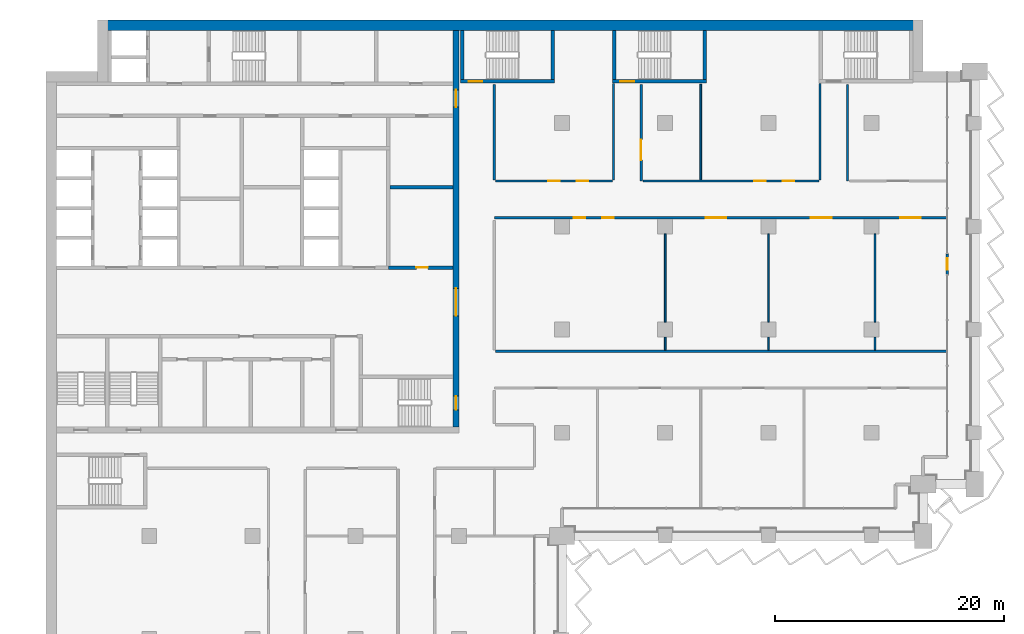
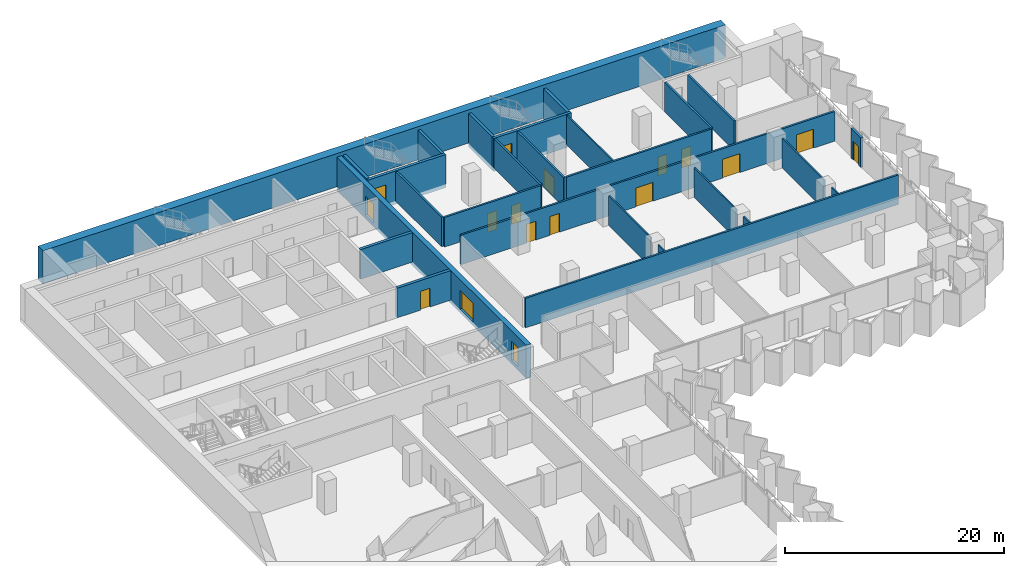
# One storey, part 14 of 22: 27 walls, 17 doors, 17 openings.
"""IFC4 building model written with IfcOpenShell, lengths in metres."""

from ifc_helpers import new_model, si_unit, direction, frame, frame_2d, origin, place, context, subcontext, project, spatial, rectangle, extrude, material, layer, layer_set, type_object, element, fill, save


model = new_model("IFC4")

# Units and contexts
model_context = context("Model", 3, precision=1e-05, world=origin(), true_north=direction((0.0, 1.0)))
body_context = subcontext(model_context, "Body", "Model", "MODEL_VIEW")
ifc_project = project(units=[si_unit("LENGTHUNIT", "METRE"), si_unit("AREAUNIT", "SQUARE_METRE"), si_unit("VOLUMEUNIT", "CUBIC_METRE"), si_unit("PLANEANGLEUNIT", "RADIAN"), si_unit("MASSUNIT", "GRAM", prefix="KILO")], contexts=[model_context])

# Site, building, storey
site_placement = place(None, origin())
site = spatial("IfcSite", under=ifc_project, at=site_placement, CompositionType="ELEMENT")
building_placement = place(site_placement, origin())
building = spatial("IfcBuilding", under=site, at=building_placement, Name="Hunhe Ridgeline Campus", CompositionType="ELEMENT")
storey_placement = place(building_placement, frame((0.0, 0.0, 88.5)))
storey = spatial("IfcBuildingStorey", under=building, at=storey_placement, Name="L21", CompositionType="ELEMENT", Elevation=88.5)

# Wall, opening, door
ifc_material_1 = material(Name="Masonry concrete blockwork", Category="masonry")
ifc_layer_1 = layer(ifc_material_1, 0.300048828125)
ifc_layer_set_1 = layer_set([ifc_layer_1], Name="Core room partition 300 concrete block")
wall_type_1 = type_object("IfcWallType", Name="Core room partition 300 concrete block", PredefinedType="PARTITIONING", material=ifc_layer_set_1)
wall_1_placement = place(storey_placement, frame((29.85009765625, 77.39990234375, 0.0), z_axis=(0.0, 0.0, 1.0), x_axis=(1.0, 0.0, 0.0)))
wall_1 = element("IfcWall", 1, at=wall_1_placement, inside=storey, type_object=wall_type_1, Name="L21 core partition 13", PredefinedType="PARTITIONING", context=body_context, shape_type="SweptSolid", body=[
    extrude(rectangle(XDim=5.64990234375, YDim=0.300048828125, at=frame_2d((2.824951171875, 0.0))), origin(), (0.0, 0.0, 1.0), 3.300048828125),
])
opening_1_placement = place(wall_1_placement, frame((2.449951171875, 0.0, 0.0)))
opening_1 = element("IfcOpeningElement", 2, at=opening_1_placement, cuts=wall_1, Name="Opening CD32", PredefinedType="OPENING", context=body_context, shape_type="SweptSolid", body=[
    extrude(rectangle(XDim=1.0, YDim=2.10009765625, at=frame_2d((0.5, 1.050048828125))), frame((0.0, 0.14990234375, 0.0), z_axis=(0.0, -1.0, 0.0), x_axis=(1.0, 0.0, 0.0)), (0.0, 0.0, 1.0), 0.300048828125),
])
ifc_material_2 = material(Name="Solid core timber door leaf", Category="wood")
door_type_1 = type_object("IfcDoorType", Name="Timber door 1000x2100", OperationType="SINGLE_SWING_LEFT", PredefinedType="DOOR", material=ifc_material_2)
door_1_placement = place(opening_1_placement, origin())
door_1 = element("IfcDoor", 3, at=door_1_placement, inside=storey, type_object=door_type_1, Name="L21 door ES0", OperationType="SINGLE_SWING_RIGHT", OverallHeight=2.10009765625, OverallWidth=1.0, PredefinedType="DOOR", context=body_context, shape_type="SweptSolid", body=[
    extrude(rectangle(XDim=1.0, YDim=2.10009765625, at=frame_2d((0.5, 1.050048828125))), frame((0.0, 0.02490234375, 0.0), z_axis=(0.0, -1.0, 0.0), x_axis=(1.0, 0.0, 0.0)), (0.0, 0.0, 1.0), 0.050048828125),
])
fill(opening_1, door_1)

# Wall
wall_2_placement = place(storey_placement, frame((30.0, 84.39990234375, 0.0), z_axis=(0.0, 0.0, 1.0), x_axis=(1.0, 0.0, 0.0)))
element("IfcWall", 4, at=wall_2_placement, inside=storey, type_object=wall_type_1, Name="L21 core partition 22", PredefinedType="PARTITIONING", context=body_context, shape_type="SweptSolid", body=[
    extrude(rectangle(XDim=5.5, YDim=0.300048828125, at=frame_2d((2.75, 0.0))), origin(), (0.0, 0.0, 1.0), 3.300048828125),
])

# Wall, openings, doors
ifc_material_3 = material(Name="Concrete C80", Category="concrete")
ifc_layer_2 = layer(ifc_material_3, 0.5)
ifc_layer_set_2 = layer_set([ifc_layer_2], Name="Core wall 500 reinforced concrete C80")
wall_type_2 = type_object("IfcWallType", Name="Core wall 500 reinforced concrete C80", PredefinedType="SOLIDWALL", material=ifc_layer_set_2)
wall_3_placement = place(storey_placement, frame((35.75, 63.5, -0.39990234375), z_axis=(0.0, 0.0, 1.0), x_axis=(0.0, 1.0, 0.0)))
wall_3 = element("IfcWall", 5, at=wall_3_placement, inside=storey, type_object=wall_type_2, Name="L21 core wall 61", PredefinedType="SOLIDWALL", context=body_context, shape_type="SweptSolid", body=[
    extrude(rectangle(XDim=34.60009765625, YDim=0.5, at=frame_2d((17.300048828125, 0.0))), origin(), (0.0, 0.0, 1.0), 3.699951171875),
])
opening_2_placement = place(wall_3_placement, frame((9.699951171875, 0.0, 0.39990234375)))
opening_2 = element("IfcOpeningElement", 6, at=opening_2_placement, cuts=wall_3, Name="Opening CD4", PredefinedType="OPENING", context=body_context, shape_type="SweptSolid", body=[
    extrude(rectangle(XDim=2.39990234375, YDim=2.10009765625, at=frame_2d((1.199951171875, 1.050048828125))), frame((0.0, 0.25, 0.0), z_axis=(0.0, -1.0, 0.0), x_axis=(1.0, 0.0, 0.0)), (0.0, 0.0, 1.0), 0.5),
])
opening_3_placement = place(wall_3_placement, frame((27.89990234375, 0.0, 0.39990234375)))
opening_3 = element("IfcOpeningElement", 7, at=opening_3_placement, cuts=wall_3, Name="Opening CD5", PredefinedType="OPENING", context=body_context, shape_type="SweptSolid", body=[
    extrude(rectangle(XDim=1.5, YDim=2.10009765625, at=frame_2d((0.75, 1.050048828125))), frame((0.0, 0.25, 0.0), z_axis=(0.0, -1.0, 0.0), x_axis=(1.0, 0.0, 0.0)), (0.0, 0.0, 1.0), 0.5),
])
opening_4_placement = place(wall_3_placement, frame((1.5, 0.0, 0.39990234375)))
opening_4 = element("IfcOpeningElement", 8, at=opening_4_placement, cuts=wall_3, Name="Opening CD15", PredefinedType="OPENING", context=body_context, shape_type="SweptSolid", body=[
    extrude(rectangle(XDim=1.199951171875, YDim=2.10009765625, at=frame_2d((0.60009765625, 1.050048828125))), frame((0.0, 0.25, 0.0), z_axis=(0.0, -1.0, 0.0), x_axis=(1.0, 0.0, 0.0)), (0.0, 0.0, 1.0), 0.5),
])
ifc_material_4 = material(Name="Anodised aluminium and glass", Category="aluminium")
door_type_2 = type_object("IfcDoorType", Name="Glazed double door 2400x2100", OperationType="DOUBLE_DOOR_SINGLE_SWING", PredefinedType="DOOR", material=ifc_material_4)
door_2_placement = place(opening_2_placement, frame((2.39990234375, 0.0, 0.0), z_axis=(0.0, 0.0, 1.0), x_axis=(-1.0, 0.0, 0.0)))
door_2 = element("IfcDoor", 9, at=door_2_placement, inside=storey, type_object=door_type_2, Name="L21 door HALL-FLOOR", OperationType="DOUBLE_DOOR_SINGLE_SWING", OverallHeight=2.10009765625, OverallWidth=2.39990234375, PredefinedType="DOOR", context=body_context, shape_type="SweptSolid", body=[
    extrude(rectangle(XDim=2.39990234375, YDim=2.10009765625, at=frame_2d((1.199951171875, 1.050048828125))), frame((0.0, 0.02490234375, 0.0), z_axis=(0.0, -1.0, 0.0), x_axis=(1.0, 0.0, 0.0)), (0.0, 0.0, 1.0), 0.050048828125),
])
fill(opening_2, door_2)
ifc_material_5 = material(Name="Hollow metal fire door leaf")
door_type_3 = type_object("IfcDoorType", Name="Stair door 1200x2100 FD60", OperationType="SINGLE_SWING_LEFT", PredefinedType="DOOR", material=ifc_material_5)
door_3_placement = place(opening_4_placement, frame((1.199951171875, 0.0, 0.0), z_axis=(0.0, 0.0, 1.0), x_axis=(-1.0, 0.0, 0.0)))
door_3 = element("IfcDoor", 10, at=door_3_placement, inside=storey, type_object=door_type_3, Name="L21 door S2-FLOOR", OperationType="SINGLE_SWING_RIGHT", OverallHeight=2.10009765625, OverallWidth=1.199951171875, PredefinedType="DOOR", context=body_context, shape_type="SweptSolid", body=[
    extrude(rectangle(XDim=1.199951171875, YDim=2.10009765625, at=frame_2d((0.60009765625, 1.050048828125))), frame((0.0, 0.02490234375, 0.0), z_axis=(0.0, -1.0, 0.0), x_axis=(1.0, 0.0, 0.0)), (0.0, 0.0, 1.0), 0.050048828125),
])
fill(opening_4, door_3)
door_type_4 = type_object("IfcDoorType", Name="Timber door 1500x2100", OperationType="SINGLE_SWING_LEFT", PredefinedType="DOOR", material=ifc_material_2)
door_4_placement = place(opening_3_placement, frame((1.5, 0.0, 0.0), z_axis=(0.0, 0.0, 1.0), x_axis=(-1.0, 0.0, 0.0)))
door_4 = element("IfcDoor", 11, at=door_4_placement, inside=storey, type_object=door_type_4, Name="L21 door C1-FLOOR", OperationType="SINGLE_SWING_RIGHT", OverallHeight=2.10009765625, OverallWidth=1.5, PredefinedType="DOOR", context=body_context, shape_type="SweptSolid", body=[
    extrude(rectangle(XDim=1.5, YDim=2.10009765625, at=frame_2d((0.75, 1.050048828125))), frame((0.0, 0.02490234375, 0.0), z_axis=(0.0, -1.0, 0.0), x_axis=(1.0, 0.0, 0.0)), (0.0, 0.0, 1.0), 0.050048828125),
])
fill(opening_3, door_4)

# Wall
ifc_material_6 = material(Name="Gypsum board partition")
ifc_layer_3 = layer(ifc_material_6, 0.199951171875)
ifc_layer_set_3 = layer_set([ifc_layer_3], Name="Corridor partition 200 gypsum board on steel studs")
wall_type_3 = type_object("IfcWallType", Name="Corridor partition 200 gypsum board on steel studs", PredefinedType="PARTITIONING", material=ifc_layer_set_3)
wall_4_placement = place(storey_placement, frame((39.199951171875, 70.10009765625, 0.0), z_axis=(0.0, 0.0, 1.0), x_axis=(1.0, 0.0, 0.0)))
element("IfcWall", 12, at=wall_4_placement, inside=storey, type_object=wall_type_3, Name="F-L21-wall-039", PredefinedType="PARTITIONING", context=body_context, shape_type="SweptSolid", body=[
    extrude(rectangle(XDim=39.344970703125, YDim=0.199951171875, at=frame_2d((19.67236328125, 0.0))), origin(), (0.0, 0.0, 1.0), 3.300048828125),
])

# Wall, openings, doors
wall_5_placement = place(storey_placement, frame((78.544921875, 81.75, 0.0), z_axis=(0.0, 0.0, 1.0), x_axis=(-1.0, 0.0, 0.0)))
wall_5 = element("IfcWall", 13, at=wall_5_placement, inside=storey, type_object=wall_type_3, Name="F-L21-wall-040", PredefinedType="PARTITIONING", context=body_context, shape_type="SweptSolid", body=[
    extrude(rectangle(XDim=39.44482421875, YDim=0.199951171875, at=frame_2d((19.722412109375, 0.0))), origin(), (0.0, 0.0, 1.0), 3.300048828125),
])
opening_5_placement = place(wall_5_placement, frame((31.533447265625, 0.0, 0.0)))
opening_5 = element("IfcOpeningElement", 14, at=opening_5_placement, cuts=wall_5, Name="Opening RD1-027", PredefinedType="OPENING", context=body_context, shape_type="SweptSolid", body=[
    extrude(rectangle(XDim=1.0, YDim=2.10009765625, at=frame_2d((0.5, 1.050048828125))), frame((0.0, 0.10009765625, 0.0), z_axis=(0.0, -1.0, 0.0), x_axis=(1.0, 0.0, 0.0)), (0.0, 0.0, 1.0), 0.199951171875),
])
opening_6_placement = place(wall_5_placement, frame((29.033447265625, 0.0, 0.0)))
opening_6 = element("IfcOpeningElement", 15, at=opening_6_placement, cuts=wall_5, Name="Opening RD1-028", PredefinedType="OPENING", context=body_context, shape_type="SweptSolid", body=[
    extrude(rectangle(XDim=1.0, YDim=2.10009765625, at=frame_2d((0.5, 1.050048828125))), frame((0.0, 0.10009765625, 0.0), z_axis=(0.0, -1.0, 0.0), x_axis=(1.0, 0.0, 0.0)), (0.0, 0.0, 1.0), 0.199951171875),
])
opening_7_placement = place(wall_5_placement, frame((19.199462890625, 0.0, 0.0)))
opening_7 = element("IfcOpeningElement", 16, at=opening_7_placement, cuts=wall_5, Name="Opening RD2-029", PredefinedType="OPENING", context=body_context, shape_type="SweptSolid", body=[
    extrude(rectangle(XDim=1.800048828125, YDim=2.10009765625, at=frame_2d((0.89990234375, 1.050048828125))), frame((0.0, 0.10009765625, 0.0), z_axis=(0.0, -1.0, 0.0), x_axis=(1.0, 0.0, 0.0)), (0.0, 0.0, 1.0), 0.199951171875),
])
opening_8_placement = place(wall_5_placement, frame((10.029052734375, 0.0, 0.0)))
opening_8 = element("IfcOpeningElement", 17, at=opening_8_placement, cuts=wall_5, Name="Opening RD2-030", PredefinedType="OPENING", context=body_context, shape_type="SweptSolid", body=[
    extrude(rectangle(XDim=1.800048828125, YDim=2.10009765625, at=frame_2d((0.89990234375, 1.050048828125))), frame((0.0, 0.10009765625, 0.0), z_axis=(0.0, -1.0, 0.0), x_axis=(1.0, 0.0, 0.0)), (0.0, 0.0, 1.0), 0.199951171875),
])
opening_9_placement = place(wall_5_placement, frame((2.240478515625, 0.0, 0.0)))
opening_9 = element("IfcOpeningElement", 18, at=opening_9_placement, cuts=wall_5, Name="Opening RD2-031", PredefinedType="OPENING", context=body_context, shape_type="SweptSolid", body=[
    extrude(rectangle(XDim=1.800048828125, YDim=2.10009765625, at=frame_2d((0.89990234375, 1.050048828125))), frame((0.0, 0.10009765625, 0.0), z_axis=(0.0, -1.0, 0.0), x_axis=(1.0, 0.0, 0.0)), (0.0, 0.0, 1.0), 0.199951171875),
])
ifc_material_7 = material(Name="Timber door leaf", Category="wood")
door_type_5 = type_object("IfcDoorType", Name="Double fire door 1800x2100 timber FD60", OperationType="DOUBLE_DOOR_SINGLE_SWING", PredefinedType="DOOR", material=ifc_material_7)
door_5_placement = place(opening_7_placement, origin())
door_5 = element("IfcDoor", 19, at=door_5_placement, inside=storey, type_object=door_type_5, Name="F-L21-door-029", OperationType="DOUBLE_DOOR_SINGLE_SWING", OverallHeight=2.10009765625, OverallWidth=1.800048828125, PredefinedType="DOOR", context=body_context, shape_type="SweptSolid", body=[
    extrude(rectangle(XDim=1.800048828125, YDim=2.10009765625, at=frame_2d((0.89990234375, 1.050048828125))), frame((0.0, 0.02490234375, 0.0), z_axis=(0.0, -1.0, 0.0), x_axis=(1.0, 0.0, 0.0)), (0.0, 0.0, 1.0), 0.050048828125),
])
fill(opening_7, door_5)
door_6_placement = place(opening_8_placement, origin())
door_6 = element("IfcDoor", 20, at=door_6_placement, inside=storey, type_object=door_type_5, Name="F-L21-door-030", OperationType="DOUBLE_DOOR_SINGLE_SWING", OverallHeight=2.10009765625, OverallWidth=1.800048828125, PredefinedType="DOOR", context=body_context, shape_type="SweptSolid", body=[
    extrude(rectangle(XDim=1.800048828125, YDim=2.10009765625, at=frame_2d((0.89990234375, 1.050048828125))), frame((0.0, 0.02490234375, 0.0), z_axis=(0.0, -1.0, 0.0), x_axis=(1.0, 0.0, 0.0)), (0.0, 0.0, 1.0), 0.050048828125),
])
fill(opening_8, door_6)
door_7_placement = place(opening_9_placement, origin())
door_7 = element("IfcDoor", 21, at=door_7_placement, inside=storey, type_object=door_type_5, Name="F-L21-door-031", OperationType="DOUBLE_DOOR_SINGLE_SWING", OverallHeight=2.10009765625, OverallWidth=1.800048828125, PredefinedType="DOOR", context=body_context, shape_type="SweptSolid", body=[
    extrude(rectangle(XDim=1.800048828125, YDim=2.10009765625, at=frame_2d((0.89990234375, 1.050048828125))), frame((0.0, 0.02490234375, 0.0), z_axis=(0.0, -1.0, 0.0), x_axis=(1.0, 0.0, 0.0)), (0.0, 0.0, 1.0), 0.050048828125),
])
fill(opening_9, door_7)
door_type_6 = type_object("IfcDoorType", Name="Single fire door 1000x2100 timber FD60", OperationType="NOTDEFINED", PredefinedType="DOOR", material=ifc_material_7)
door_8_placement = place(opening_5_placement, frame((1.0, 0.0, 0.0), z_axis=(0.0, 0.0, 1.0), x_axis=(-1.0, 0.0, 0.0)))
door_8 = element("IfcDoor", 22, at=door_8_placement, inside=storey, type_object=door_type_6, Name="F-L21-door-027", OperationType="SINGLE_SWING_LEFT", OverallHeight=2.10009765625, OverallWidth=1.0, PredefinedType="DOOR", context=body_context, shape_type="SweptSolid", body=[
    extrude(rectangle(XDim=1.0, YDim=2.10009765625, at=frame_2d((0.5, 1.050048828125))), frame((0.0, 0.02490234375, 0.0), z_axis=(0.0, -1.0, 0.0), x_axis=(1.0, 0.0, 0.0)), (0.0, 0.0, 1.0), 0.050048828125),
])
fill(opening_5, door_8)
door_9_placement = place(opening_6_placement, frame((1.0, 0.0, 0.0), z_axis=(0.0, 0.0, 1.0), x_axis=(-1.0, 0.0, 0.0)))
door_9 = element("IfcDoor", 23, at=door_9_placement, inside=storey, type_object=door_type_6, Name="F-L21-door-028", OperationType="SINGLE_SWING_RIGHT", OverallHeight=2.10009765625, OverallWidth=1.0, PredefinedType="DOOR", context=body_context, shape_type="SweptSolid", body=[
    extrude(rectangle(XDim=1.0, YDim=2.10009765625, at=frame_2d((0.5, 1.050048828125))), frame((0.0, 0.02490234375, 0.0), z_axis=(0.0, -1.0, 0.0), x_axis=(1.0, 0.0, 0.0)), (0.0, 0.0, 1.0), 0.050048828125),
])
fill(opening_6, door_9)

wall_6_placement = place(storey_placement, frame((39.199951171875, 84.949951171875, 0.0), z_axis=(0.0, 0.0, 1.0), x_axis=(1.0, 0.0, 0.0)))
wall_6 = element("IfcWall", 24, at=wall_6_placement, inside=storey, type_object=wall_type_3, Name="F-L21-wall-041", PredefinedType="PARTITIONING", context=body_context, shape_type="SweptSolid", body=[
    extrude(rectangle(XDim=10.199951171875, YDim=0.199951171875, at=frame_2d((5.10009765625, 0.0))), origin(), (0.0, 0.0, 1.0), 3.300048828125),
])
opening_10_placement = place(wall_6_placement, frame((4.60009765625, 0.0, 0.0)))
opening_10 = element("IfcOpeningElement", 25, at=opening_10_placement, cuts=wall_6, Name="Opening RD1-032", PredefinedType="OPENING", context=body_context, shape_type="SweptSolid", body=[
    extrude(rectangle(XDim=1.0, YDim=2.10009765625, at=frame_2d((0.5, 1.050048828125))), frame((0.0, 0.10009765625, 0.0), z_axis=(0.0, -1.0, 0.0), x_axis=(1.0, 0.0, 0.0)), (0.0, 0.0, 1.0), 0.199951171875),
])
opening_11_placement = place(wall_6_placement, frame((7.10009765625, 0.0, 0.0)))
opening_11 = element("IfcOpeningElement", 26, at=opening_11_placement, cuts=wall_6, Name="Opening RD1-033", PredefinedType="OPENING", context=body_context, shape_type="SweptSolid", body=[
    extrude(rectangle(XDim=1.0, YDim=2.10009765625, at=frame_2d((0.5, 1.050048828125))), frame((0.0, 0.10009765625, 0.0), z_axis=(0.0, -1.0, 0.0), x_axis=(1.0, 0.0, 0.0)), (0.0, 0.0, 1.0), 0.199951171875),
])
door_10_placement = place(opening_10_placement, frame((1.0, 0.0, 0.0), z_axis=(0.0, 0.0, 1.0), x_axis=(-1.0, 0.0, 0.0)))
door_10 = element("IfcDoor", 27, at=door_10_placement, inside=storey, type_object=door_type_6, Name="F-L21-door-032", OperationType="SINGLE_SWING_LEFT", OverallHeight=2.10009765625, OverallWidth=1.0, PredefinedType="DOOR", context=body_context, shape_type="SweptSolid", body=[
    extrude(rectangle(XDim=1.0, YDim=2.10009765625, at=frame_2d((0.5, 1.050048828125))), frame((0.0, 0.02490234375, 0.0), z_axis=(0.0, -1.0, 0.0), x_axis=(1.0, 0.0, 0.0)), (0.0, 0.0, 1.0), 0.050048828125),
])
fill(opening_10, door_10)
door_11_placement = place(opening_11_placement, frame((1.0, 0.0, 0.0), z_axis=(0.0, 0.0, 1.0), x_axis=(-1.0, 0.0, 0.0)))
door_11 = element("IfcDoor", 28, at=door_11_placement, inside=storey, type_object=door_type_6, Name="F-L21-door-033", OperationType="SINGLE_SWING_LEFT", OverallHeight=2.10009765625, OverallWidth=1.0, PredefinedType="DOOR", context=body_context, shape_type="SweptSolid", body=[
    extrude(rectangle(XDim=1.0, YDim=2.10009765625, at=frame_2d((0.5, 1.050048828125))), frame((0.0, 0.02490234375, 0.0), z_axis=(0.0, -1.0, 0.0), x_axis=(1.0, 0.0, 0.0)), (0.0, 0.0, 1.0), 0.050048828125),
])
fill(opening_11, door_11)

wall_7_placement = place(storey_placement, frame((52.081787109375, 84.949951171875, 0.0), z_axis=(0.0, 0.0, 1.0), x_axis=(1.0, 0.0, 0.0)))
wall_7 = element("IfcWall", 29, at=wall_7_placement, inside=storey, type_object=wall_type_3, Name="F-L21-wall-042", PredefinedType="PARTITIONING", context=body_context, shape_type="SweptSolid", body=[
    extrude(rectangle(XDim=15.318115234375, YDim=0.199951171875, at=frame_2d((7.6591796875, 0.0))), origin(), (0.0, 0.0, 1.0), 3.300048828125),
])
opening_12_placement = place(wall_7_placement, frame((9.670166015625, 0.0, 0.0)))
opening_12 = element("IfcOpeningElement", 30, at=opening_12_placement, cuts=wall_7, Name="Opening RD1-034", PredefinedType="OPENING", context=body_context, shape_type="SweptSolid", body=[
    extrude(rectangle(XDim=1.0, YDim=2.10009765625, at=frame_2d((0.5, 1.050048828125))), frame((0.0, 0.10009765625, 0.0), z_axis=(0.0, -1.0, 0.0), x_axis=(1.0, 0.0, 0.0)), (0.0, 0.0, 1.0), 0.199951171875),
])
opening_13_placement = place(wall_7_placement, frame((12.170166015625, 0.0, 0.0)))
opening_13 = element("IfcOpeningElement", 31, at=opening_13_placement, cuts=wall_7, Name="Opening RD1-035", PredefinedType="OPENING", context=body_context, shape_type="SweptSolid", body=[
    extrude(rectangle(XDim=1.0, YDim=2.10009765625, at=frame_2d((0.5, 1.050048828125))), frame((0.0, 0.10009765625, 0.0), z_axis=(0.0, -1.0, 0.0), x_axis=(1.0, 0.0, 0.0)), (0.0, 0.0, 1.0), 0.199951171875),
])
door_12_placement = place(opening_12_placement, frame((1.0, 0.0, 0.0), z_axis=(0.0, 0.0, 1.0), x_axis=(-1.0, 0.0, 0.0)))
door_12 = element("IfcDoor", 32, at=door_12_placement, inside=storey, type_object=door_type_6, Name="F-L21-door-034", OperationType="SINGLE_SWING_LEFT", OverallHeight=2.10009765625, OverallWidth=1.0, PredefinedType="DOOR", context=body_context, shape_type="SweptSolid", body=[
    extrude(rectangle(XDim=1.0, YDim=2.10009765625, at=frame_2d((0.5, 1.050048828125))), frame((0.0, 0.02490234375, 0.0), z_axis=(0.0, -1.0, 0.0), x_axis=(1.0, 0.0, 0.0)), (0.0, 0.0, 1.0), 0.050048828125),
])
fill(opening_12, door_12)
door_13_placement = place(opening_13_placement, frame((1.0, 0.0, 0.0), z_axis=(0.0, 0.0, 1.0), x_axis=(-1.0, 0.0, 0.0)))
door_13 = element("IfcDoor", 33, at=door_13_placement, inside=storey, type_object=door_type_6, Name="F-L21-door-035", OperationType="SINGLE_SWING_LEFT", OverallHeight=2.10009765625, OverallWidth=1.0, PredefinedType="DOOR", context=body_context, shape_type="SweptSolid", body=[
    extrude(rectangle(XDim=1.0, YDim=2.10009765625, at=frame_2d((0.5, 1.050048828125))), frame((0.0, 0.02490234375, 0.0), z_axis=(0.0, -1.0, 0.0), x_axis=(1.0, 0.0, 0.0)), (0.0, 0.0, 1.0), 0.050048828125),
])
fill(opening_13, door_13)

# Walls
wall_8_placement = place(storey_placement, frame((39.10009765625, 93.39599609375, 0.0), z_axis=(0.0, 0.0, 1.0), x_axis=(0.0, -1.0, 0.0)))
element("IfcWall", 34, at=wall_8_placement, inside=storey, type_object=wall_type_3, Name="F-L21-wall-058", PredefinedType="PARTITIONING", context=body_context, shape_type="SweptSolid", body=[
    extrude(rectangle(XDim=8.345947265625, YDim=0.199951171875, at=frame_2d((4.1728515625, 0.0))), origin(), (0.0, 0.0, 1.0), 3.300048828125),
])
wall_9_placement = place(storey_placement, frame((49.5, 85.050048828125, 0.0), z_axis=(0.0, 0.0, 1.0), x_axis=(0.0, 1.0, 0.0)))
element("IfcWall", 35, at=wall_9_placement, inside=storey, type_object=wall_type_3, Name="F-L21-wall-061", PredefinedType="PARTITIONING", context=body_context, shape_type="SweptSolid", body=[
    extrude(rectangle(XDim=8.419921875, YDim=0.199951171875, at=frame_2d((4.2099609375, 0.0))), origin(), (0.0, 0.0, 1.0), 3.300048828125),
])

# Wall, opening, door
wall_10_placement = place(storey_placement, frame((51.89990234375, 93.39599609375, 0.0), z_axis=(0.0, 0.0, 1.0), x_axis=(0.0, -1.0, 0.0)))
wall_10 = element("IfcWall", 36, at=wall_10_placement, inside=storey, type_object=wall_type_3, Name="F-L21-wall-062", PredefinedType="PARTITIONING", context=body_context, shape_type="SweptSolid", body=[
    extrude(rectangle(XDim=8.446044921875, YDim=0.199951171875, at=frame_2d((4.22314453125, 0.0))), origin(), (0.0, 0.0, 1.0), 3.300048828125),
])
opening_14_placement = place(wall_10_placement, frame((4.822998046875, 0.0, 0.0)))
opening_14 = element("IfcOpeningElement", 37, at=opening_14_placement, cuts=wall_10, Name="Opening RD2-037", PredefinedType="OPENING", context=body_context, shape_type="SweptSolid", body=[
    extrude(rectangle(XDim=1.800048828125, YDim=2.10009765625, at=frame_2d((0.89990234375, 1.050048828125))), frame((0.0, 0.10009765625, 0.0), z_axis=(0.0, -1.0, 0.0), x_axis=(1.0, 0.0, 0.0)), (0.0, 0.0, 1.0), 0.199951171875),
])
door_14_placement = place(opening_14_placement, origin())
door_14 = element("IfcDoor", 38, at=door_14_placement, inside=storey, type_object=door_type_5, Name="F-L21-door-037", OperationType="DOUBLE_DOOR_SINGLE_SWING", OverallHeight=2.10009765625, OverallWidth=1.800048828125, PredefinedType="DOOR", context=body_context, shape_type="SweptSolid", body=[
    extrude(rectangle(XDim=1.800048828125, YDim=2.10009765625, at=frame_2d((0.89990234375, 1.050048828125))), frame((0.0, 0.02490234375, 0.0), z_axis=(0.0, -1.0, 0.0), x_axis=(1.0, 0.0, 0.0)), (0.0, 0.0, 1.0), 0.050048828125),
])
fill(opening_14, door_14)

# Walls
wall_11_placement = place(storey_placement, frame((67.5, 85.050048828125, 0.0), z_axis=(0.0, 0.0, 1.0), x_axis=(0.0, 1.0, 0.0)))
element("IfcWall", 39, at=wall_11_placement, inside=storey, type_object=wall_type_3, Name="F-L21-wall-070", PredefinedType="PARTITIONING", context=body_context, shape_type="SweptSolid", body=[
    extrude(rectangle(XDim=8.419921875, YDim=0.199951171875, at=frame_2d((4.2099609375, 0.0))), origin(), (0.0, 0.0, 1.0), 3.300048828125),
])
wall_12_placement = place(storey_placement, frame((69.89990234375, 93.39599609375, 0.0), z_axis=(0.0, 0.0, 1.0), x_axis=(0.0, -1.0, 0.0)))
element("IfcWall", 40, at=wall_12_placement, inside=storey, type_object=wall_type_3, Name="F-L21-wall-071", PredefinedType="PARTITIONING", context=body_context, shape_type="SweptSolid", body=[
    extrude(rectangle(XDim=8.446044921875, YDim=0.199951171875, at=frame_2d((4.22314453125, 0.0))), origin(), (0.0, 0.0, 1.0), 3.300048828125),
])

# Wall, opening, door
ifc_material_8 = material(Name="Concrete C30", Category="concrete")
ifc_layer_4 = layer(ifc_material_8, 0.25)
ifc_layer_set_4 = layer_set([ifc_layer_4], Name="Loggia door pier wall 250 Concrete C30")
wall_type_4 = type_object("IfcWallType", Name="Loggia door pier wall 250 Concrete C30", PredefinedType="SOLIDWALL", material=ifc_layer_set_4)
wall_13_placement = place(storey_placement, frame((78.59912109375, 76.800537109375, 0.0), z_axis=(0.0, 0.0, 1.0), x_axis=(0.0, 1.0, 0.0)))
wall_13 = element("IfcWall", 41, at=wall_13_placement, inside=storey, type_object=wall_type_4, Name="Loggia door pier 5", PredefinedType="SOLIDWALL", context=body_context, shape_type="SweptSolid", body=[
    extrude(rectangle(XDim=1.800048828125, YDim=0.25, at=frame_2d((0.89990234375, 0.0))), origin(), (0.0, 0.0, 1.0), 3.300048828125),
])
opening_15_placement = place(wall_13_placement, frame((0.39990234375, 0.0, 0.0)))
opening_15 = element("IfcOpeningElement", 42, at=opening_15_placement, cuts=wall_13, Name="Opening BD207", PredefinedType="OPENING", context=body_context, shape_type="SweptSolid", body=[
    extrude(rectangle(XDim=1.0, YDim=2.10009765625, at=frame_2d((0.5, 1.050048828125))), frame((0.0, 0.125, 0.0), z_axis=(0.0, -1.0, 0.0), x_axis=(1.0, 0.0, 0.0)), (0.0, 0.0, 1.0), 0.25),
])
ifc_material_9 = material(Name="Aluminium 6063", Category="aluminium")
door_type_7 = type_object("IfcDoorType", Name="Loggia glazed door 1000x2100", OperationType="NOTDEFINED", PredefinedType="DOOR", material=ifc_material_9)
door_15_placement = place(opening_15_placement, frame((1.0, 0.0, 0.0), z_axis=(0.0, 0.0, 1.0), x_axis=(-1.0, 0.0, 0.0)))
door_15 = element("IfcDoor", 43, at=door_15_placement, inside=storey, type_object=door_type_7, Name="Loggia door BD207", OperationType="SINGLE_SWING_RIGHT", OverallHeight=2.10009765625, OverallWidth=1.0, PredefinedType="DOOR", context=body_context, shape_type="SweptSolid", body=[
    extrude(rectangle(XDim=1.0, YDim=2.10009765625, at=frame_2d((0.5, 1.050048828125))), frame((0.0, 0.02490234375, 0.0), z_axis=(0.0, -1.0, 0.0), x_axis=(1.0, 0.0, 0.0)), (0.0, 0.0, 1.0), 0.050048828125),
])
fill(opening_15, door_15)

# Walls
ifc_layer_5 = layer(ifc_material_6, 0.14990234375)
ifc_layer_set_5 = layer_set([ifc_layer_5], Name="Room partition 150 gypsum board on steel studs")
wall_type_5 = type_object("IfcWallType", Name="Room partition 150 gypsum board on steel studs", PredefinedType="PARTITIONING", material=ifc_layer_set_5)
wall_14_placement = place(storey_placement, frame((54.0, 71.35009765625, 0.0), z_axis=(0.0, 0.0, 1.0), x_axis=(0.0, -1.0, 0.0)))
element("IfcWall", 44, at=wall_14_placement, inside=storey, type_object=wall_type_5, Name="F-L21-wall-063", PredefinedType="PARTITIONING", context=body_context, shape_type="SweptSolid", body=[
    extrude(rectangle(XDim=1.150146484375, YDim=0.14990234375, at=frame_2d((0.5751953125, 0.0))), origin(), (0.0, 0.0, 1.0), 3.300048828125),
])
wall_15_placement = place(storey_placement, frame((54.0, 80.35009765625, 0.0), z_axis=(0.0, 0.0, 1.0), x_axis=(0.0, -1.0, 0.0)))
element("IfcWall", 45, at=wall_15_placement, inside=storey, type_object=wall_type_5, Name="F-L21-wall-064", PredefinedType="PARTITIONING", context=body_context, shape_type="SweptSolid", body=[
    extrude(rectangle(XDim=7.7001953125, YDim=0.14990234375, at=frame_2d((3.85009765625, 0.0))), origin(), (0.0, 0.0, 1.0), 3.300048828125),
])
wall_16_placement = place(storey_placement, frame((57.10009765625, 93.39599609375, 0.0), z_axis=(0.0, 0.0, 1.0), x_axis=(0.0, -1.0, 0.0)))
element("IfcWall", 46, at=wall_16_placement, inside=storey, type_object=wall_type_5, Name="F-L21-wall-066", PredefinedType="PARTITIONING", context=body_context, shape_type="SweptSolid", body=[
    extrude(rectangle(XDim=8.345947265625, YDim=0.14990234375, at=frame_2d((4.1728515625, 0.0))), origin(), (0.0, 0.0, 1.0), 3.300048828125),
])
wall_17_placement = place(storey_placement, frame((63.0, 71.35009765625, 0.0), z_axis=(0.0, 0.0, 1.0), x_axis=(0.0, -1.0, 0.0)))
element("IfcWall", 47, at=wall_17_placement, inside=storey, type_object=wall_type_5, Name="F-L21-wall-067", PredefinedType="PARTITIONING", context=body_context, shape_type="SweptSolid", body=[
    extrude(rectangle(XDim=1.150146484375, YDim=0.14990234375, at=frame_2d((0.5751953125, 0.0))), origin(), (0.0, 0.0, 1.0), 3.300048828125),
])
wall_18_placement = place(storey_placement, frame((63.0, 80.35009765625, 0.0), z_axis=(0.0, 0.0, 1.0), x_axis=(0.0, -1.0, 0.0)))
element("IfcWall", 48, at=wall_18_placement, inside=storey, type_object=wall_type_5, Name="F-L21-wall-068", PredefinedType="PARTITIONING", context=body_context, shape_type="SweptSolid", body=[
    extrude(rectangle(XDim=7.7001953125, YDim=0.14990234375, at=frame_2d((3.85009765625, 0.0))), origin(), (0.0, 0.0, 1.0), 3.300048828125),
])
wall_19_placement = place(storey_placement, frame((72.300048828125, 71.35009765625, 0.0), z_axis=(0.0, 0.0, 1.0), x_axis=(0.0, -1.0, 0.0)))
element("IfcWall", 49, at=wall_19_placement, inside=storey, type_object=wall_type_5, Name="F-L21-wall-072", PredefinedType="PARTITIONING", context=body_context, shape_type="SweptSolid", body=[
    extrude(rectangle(XDim=1.150146484375, YDim=0.14990234375, at=frame_2d((0.5751953125, 0.0))), origin(), (0.0, 0.0, 1.0), 3.300048828125),
])
wall_20_placement = place(storey_placement, frame((72.300048828125, 80.35009765625, 0.0), z_axis=(0.0, 0.0, 1.0), x_axis=(0.0, -1.0, 0.0)))
element("IfcWall", 50, at=wall_20_placement, inside=storey, type_object=wall_type_5, Name="F-L21-wall-073", PredefinedType="PARTITIONING", context=body_context, shape_type="SweptSolid", body=[
    extrude(rectangle(XDim=7.7001953125, YDim=0.14990234375, at=frame_2d((3.85009765625, 0.0))), origin(), (0.0, 0.0, 1.0), 3.300048828125),
])
ifc_material_10 = material(Name="Concrete C70", Category="concrete")
ifc_layer_6 = layer(ifc_material_10, 0.89990234375)
ifc_layer_set_6 = layer_set([ifc_layer_6], Name="Spine wall 900 Concrete C70")
wall_type_6 = type_object("IfcWallType", Name="Spine wall 900 Concrete C70", PredefinedType="SHEAR", material=ifc_layer_set_6)
wall_21_placement = place(storey_placement, frame((76.5, 98.550048828125, 0.0), z_axis=(0.0, 0.0, 1.0), x_axis=(-1.0, 0.0, 0.0)))
element("IfcWall", 51, at=wall_21_placement, inside=storey, type_object=wall_type_6, Name="Spine wall SW2-4 L21", PredefinedType="SHEAR", context=body_context, shape_type="SweptSolid", body=[
    extrude(rectangle(XDim=72.0, YDim=0.89990234375, at=frame_2d((36.0, 0.0))), origin(), (0.0, 0.0, 1.0), 3.699951171875),
])

# Wall, opening, door
ifc_layer_7 = layer(ifc_material_3, 0.300048828125)
ifc_layer_set_7 = layer_set([ifc_layer_7], Name="Stair wall 300 reinforced concrete C80")
wall_type_7 = type_object("IfcWallType", Name="Stair wall 300 reinforced concrete C80", PredefinedType="SOLIDWALL", material=ifc_layer_set_7)
wall_22_placement = place(storey_placement, frame((36.14990234375, 93.64990234375, -0.39990234375), z_axis=(0.0, 0.0, 1.0), x_axis=(1.0, 0.0, 0.0)))
wall_22 = element("IfcWall", 52, at=wall_22_placement, inside=storey, type_object=wall_type_7, Name="L21 core wall 30", PredefinedType="SOLIDWALL", context=body_context, shape_type="SweptSolid", body=[
    extrude(rectangle(XDim=8.2001953125, YDim=0.300048828125, at=frame_2d((4.10009765625, 0.0))), origin(), (0.0, 0.0, 1.0), 3.699951171875),
])
opening_16_placement = place(wall_22_placement, frame((0.699951171875, 0.0, 0.39990234375)))
opening_16 = element("IfcOpeningElement", 53, at=opening_16_placement, cuts=wall_22, Name="Opening CD17", PredefinedType="OPENING", context=body_context, shape_type="SweptSolid", body=[
    extrude(rectangle(XDim=1.199951171875, YDim=2.10009765625, at=frame_2d((0.60009765625, 1.050048828125))), frame((0.0, 0.14990234375, 0.0), z_axis=(0.0, -1.0, 0.0), x_axis=(1.0, 0.0, 0.0)), (0.0, 0.0, 1.0), 0.300048828125),
])
door_16_placement = place(opening_16_placement, frame((1.199951171875, 0.0, 0.0), z_axis=(0.0, 0.0, 1.0), x_axis=(-1.0, 0.0, 0.0)))
door_16 = element("IfcDoor", 54, at=door_16_placement, inside=storey, type_object=door_type_3, Name="L21 door E1", OperationType="SINGLE_SWING_RIGHT", OverallHeight=2.10009765625, OverallWidth=1.199951171875, PredefinedType="DOOR", context=body_context, shape_type="SweptSolid", body=[
    extrude(rectangle(XDim=1.199951171875, YDim=2.10009765625, at=frame_2d((0.60009765625, 1.050048828125))), frame((0.0, 0.02490234375, 0.0), z_axis=(0.0, -1.0, 0.0), x_axis=(1.0, 0.0, 0.0)), (0.0, 0.0, 1.0), 0.050048828125),
])
fill(opening_16, door_16)

wall_23_placement = place(storey_placement, frame((49.39990234375, 93.64990234375, -0.39990234375), z_axis=(0.0, 0.0, 1.0), x_axis=(1.0, 0.0, 0.0)))
wall_23 = element("IfcWall", 55, at=wall_23_placement, inside=storey, type_object=wall_type_7, Name="L21 core wall 31", PredefinedType="SOLIDWALL", context=body_context, shape_type="SweptSolid", body=[
    extrude(rectangle(XDim=8.2001953125, YDim=0.300048828125, at=frame_2d((4.10009765625, 0.0))), origin(), (0.0, 0.0, 1.0), 3.699951171875),
])
opening_17_placement = place(wall_23_placement, frame((0.699951171875, 0.0, 0.39990234375)))
opening_17 = element("IfcOpeningElement", 56, at=opening_17_placement, cuts=wall_23, Name="Opening CD18", PredefinedType="OPENING", context=body_context, shape_type="SweptSolid", body=[
    extrude(rectangle(XDim=1.199951171875, YDim=2.10009765625, at=frame_2d((0.60009765625, 1.050048828125))), frame((0.0, 0.14990234375, 0.0), z_axis=(0.0, -1.0, 0.0), x_axis=(1.0, 0.0, 0.0)), (0.0, 0.0, 1.0), 0.300048828125),
])
door_17_placement = place(opening_17_placement, frame((1.199951171875, 0.0, 0.0), z_axis=(0.0, 0.0, 1.0), x_axis=(-1.0, 0.0, 0.0)))
door_17 = element("IfcDoor", 57, at=door_17_placement, inside=storey, type_object=door_type_3, Name="L21 door E2", OperationType="SINGLE_SWING_LEFT", OverallHeight=2.10009765625, OverallWidth=1.199951171875, PredefinedType="DOOR", context=body_context, shape_type="SweptSolid", body=[
    extrude(rectangle(XDim=1.199951171875, YDim=2.10009765625, at=frame_2d((0.60009765625, 1.050048828125))), frame((0.0, 0.02490234375, 0.0), z_axis=(0.0, -1.0, 0.0), x_axis=(1.0, 0.0, 0.0)), (0.0, 0.0, 1.0), 0.050048828125),
])
fill(opening_17, door_17)

# Walls
for number, where, z_axis, x_axis, name in (
    (58, (36.300048828125, 93.800048828125, -0.39990234375), (0.0, 0.0, 1.0), (0.0, 1.0, 0.0), "L21 core wall 62"),
    (59, (44.199951171875, 93.800048828125, -0.39990234375), (0.0, 0.0, 1.0), (0.0, 1.0, 0.0), "L21 core wall 63"),
    (60, (49.550048828125, 93.800048828125, -0.39990234375), (0.0, 0.0, 1.0), (0.0, 1.0, 0.0), "L21 core wall 64"),
    (61, (57.449951171875, 93.800048828125, -0.39990234375), (0.0, 0.0, 1.0), (0.0, 1.0, 0.0), "L21 core wall 65"),
):
    element("IfcWall", number, at=place(storey_placement, frame(where, z_axis=z_axis, x_axis=x_axis)), inside=storey, type_object=wall_type_7, Name=name, PredefinedType="SOLIDWALL", context=body_context, shape_type="SweptSolid", body=[
        extrude(rectangle(XDim=4.300048828125, YDim=0.300048828125, at=frame_2d((2.14990234375, 0.0))), origin(), (0.0, 0.0, 1.0), 3.699951171875),
    ])

save(model, "model.ifc")
